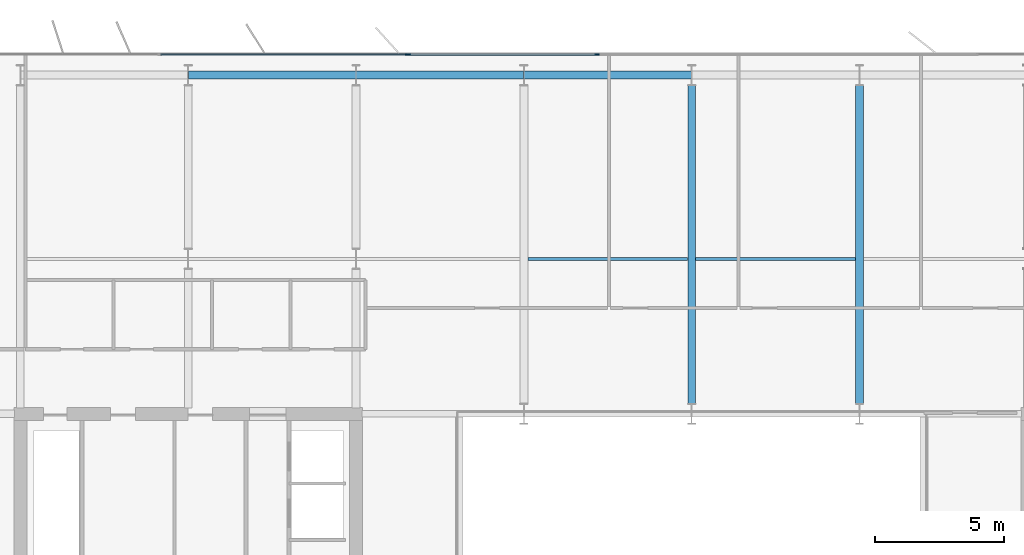
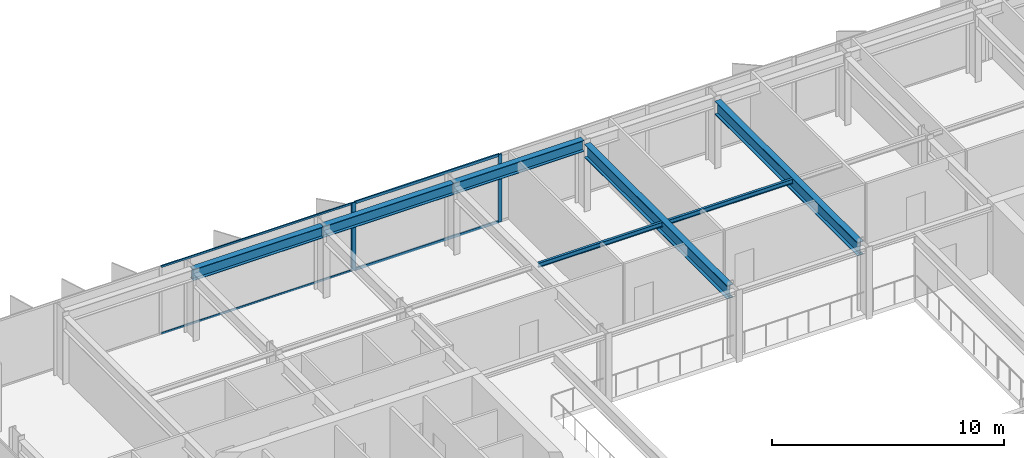
# One storey, part 11 of 23: 7 beams, 7 members, 2 elements without a shape of their own.
"""IFC4 building model written with IfcOpenShell, lengths in metres."""

from ifc_helpers import new_model, si_unit, direction, frame, origin, origin_2d, place, context, subcontext, project, spatial, rectangle, i_section, extrude, material, layer, layer_set, material_profile, profile_set, type_object, element, aggregate, save


model = new_model("IFC4")

# Units and contexts
model_context = context("Model", 3, precision=1e-05, world=origin(), true_north=direction((0.0, 1.0)))
body_context = subcontext(model_context, "Body", "Model", "MODEL_VIEW")
ifc_project = project(units=[si_unit("LENGTHUNIT", "METRE"), si_unit("AREAUNIT", "SQUARE_METRE"), si_unit("VOLUMEUNIT", "CUBIC_METRE"), si_unit("PLANEANGLEUNIT", "RADIAN"), si_unit("MASSUNIT", "GRAM", prefix="KILO")], contexts=[model_context])

# Site, building, storey
site_placement = place(None, origin())
site = spatial("IfcSite", under=ifc_project, at=site_placement, CompositionType="ELEMENT")
building_placement = place(site_placement, origin())
building = spatial("IfcBuilding", under=site, at=building_placement, Name="Putna Gate Headquarters", CompositionType="ELEMENT")
storey_placement = place(building_placement, frame((0.0, 0.0, 229.0)))
storey = spatial("IfcBuildingStorey", under=building, at=storey_placement, Name="L57", CompositionType="ELEMENT", Elevation=229.0)

# Beams
ifc_material_1 = material(Name="Steel S355J2", Category="steel")
ifc_material_profile_1 = material_profile(ifc_material_1, i_section(OverallWidth=0.300048828125, OverallDepth=0.699951171875, WebThickness=0.01708984375, FlangeThickness=0.031982421875, at=origin_2d()), Name="Steel S355J2")
ifc_profile_set_1 = profile_set([ifc_material_profile_1], Name="Steel S355J2")
beam_type_1 = type_object("IfcBeamType", Name="BM-GIRD-B-HEB700", PredefinedType="USERDEFINED", material=ifc_profile_set_1)
for number, where, z_axis, x_axis, name in (
    (1, (39.0, 33.39501953125, 3.22998046875), (0.0, 1.0, 0.0), (-1.0, 0.0, 0.0), "L57 North Primary Girder X39"),
    (2, (45.5, 33.39501953125, 3.22998046875), (0.0, 1.0, 0.0), (-1.0, 0.0, 0.0), "L57 North Primary Girder X45"),
):
    element("IfcBeam", number, at=place(storey_placement, frame(where, z_axis=z_axis, x_axis=x_axis)), inside=storey, type_object=beam_type_1, Name=name, ObjectType="GIRDER", PredefinedType="USERDEFINED", context=body_context, shape_type="SweptSolid", body=[
        extrude(i_section(OverallWidth=0.300048828125, OverallDepth=0.699951171875, WebThickness=0.01708984375, FlangeThickness=0.031982421875, at=origin_2d()), origin(), (0.0, 0.0, 1.0), 12.330078125),
    ])
ifc_material_profile_2 = material_profile(ifc_material_1, i_section(OverallWidth=0.1201171875, OverallDepth=0.239990234375, WebThickness=0.006103515625, FlangeThickness=0.009765625, at=origin_2d()), Name="Steel S355J2")
ifc_profile_set_2 = profile_set([ifc_material_profile_2], Name="Steel S355J2")
beam_type_2 = type_object("IfcBeamType", Name="BM-SEC-Z4-IPE240", PredefinedType="JOIST", material=ifc_profile_set_2)
for number, where, z_axis, x_axis, name in (
    (3, (32.654052734375, 39.0, 3.4599609375), (1.0, 0.0, 0.0), (0.0, 1.0, 0.0), "L57 North Secondary Beam 4"),
    (4, (39.154052734375, 39.0, 3.4599609375), (1.0, 0.0, 0.0), (0.0, 1.0, 0.0), "L57 North Secondary Beam 5"),
):
    element("IfcBeam", number, at=place(storey_placement, frame(where, z_axis=z_axis, x_axis=x_axis)), inside=storey, type_object=beam_type_2, Name=name, PredefinedType="JOIST", context=body_context, shape_type="SweptSolid", body=[
        extrude(i_section(OverallWidth=0.1201171875, OverallDepth=0.239990234375, WebThickness=0.006103515625, FlangeThickness=0.009765625, at=origin_2d()), origin(), (0.0, 0.0, 1.0), 6.19189453125),
    ])
ifc_material_profile_3 = material_profile(ifc_material_1, i_section(OverallWidth=0.300048828125, OverallDepth=0.590087890625, WebThickness=0.012939453125, FlangeThickness=0.02490234375, at=origin_2d()), Name="Steel S355J2")
ifc_profile_set_3 = profile_set([ifc_material_profile_3], Name="Steel S355J2")
beam_type_3 = type_object("IfcBeamType", Name="BM-SPAN-Z4-HEA600", PredefinedType="SPANDREL", material=ifc_profile_set_3)
for number, where, z_axis, x_axis, name in (
    (5, (19.506103515625, 46.1201171875, 3.284912109375), (1.0, 0.0, 0.0), (0.0, 1.0, 0.0), "L57 N Perimeter Spandrel 2"),
    (6, (26.006103515625, 46.1201171875, 3.284912109375), (1.0, 0.0, 0.0), (0.0, 1.0, 0.0), "L57 N Perimeter Spandrel 3"),
    (7, (32.506103515625, 46.1201171875, 3.284912109375), (1.0, 0.0, 0.0), (0.0, 1.0, 0.0), "L57 N Perimeter Spandrel 4"),
):
    element("IfcBeam", number, at=place(storey_placement, frame(where, z_axis=z_axis, x_axis=x_axis)), inside=storey, type_object=beam_type_3, Name=name, PredefinedType="SPANDREL", context=body_context, shape_type="SweptSolid", body=[
        extrude(i_section(OverallWidth=0.300048828125, OverallDepth=0.590087890625, WebThickness=0.012939453125, FlangeThickness=0.02490234375, at=origin_2d()), origin(), (0.0, 0.0, 1.0), 6.48779296875),
    ])

# Curtain wall, member
ifc_material_2 = material(Name="Anodised bronze aluminium curtain wall", Category="aluminium")
ifc_layer_1 = layer(ifc_material_2, 0.139892578125)
ifc_layer_set_1 = layer_set([ifc_layer_1], Name="Anodised bronze aluminium curtain wall")
curtain_wall_type_1 = type_object("IfcCurtainWallType", Name="CW-SYS-Z4", PredefinedType="USERDEFINED", material=ifc_layer_set_1)
curtain_wall_1_placement = place(storey_placement, origin())
curtain_wall_1 = element("IfcCurtainWall", 8, at=curtain_wall_1_placement, inside=storey, type_object=curtain_wall_type_1, Name="L57 North West Curtain Wall", ObjectType="STICK CURTAIN WALL", PredefinedType="USERDEFINED")
ifc_material_3 = material(Name="Anodised bronze aluminium EN AW-6060", Category="aluminium")
ifc_material_profile_4 = material_profile(ifc_material_3, rectangle(XDim=0.06005859375, YDim=0.139892578125, at=origin_2d()), Name="Anodised bronze aluminium EN AW-6060")
ifc_profile_set_4 = profile_set([ifc_material_profile_4], Name="Anodised bronze aluminium EN AW-6060")
member_type_1 = type_object("IfcMemberType", Name="MULL-CWM-4", PredefinedType="MULLION", material=ifc_profile_set_4)
member_1_placement = place(storey_placement, frame((27.969970703125, 46.919921875, 0.0), z_axis=(0.0, 0.0, 1.0), x_axis=(0.0, 1.0, 0.0)))
member_1 = element("IfcMember", 9, at=member_1_placement, type_object=member_type_1, Name="CWS-4 mullion 3", PredefinedType="MULLION", context=body_context, shape_type="SweptSolid", body=[
    extrude(rectangle(XDim=0.06005859375, YDim=0.139892578125, at=origin_2d()), origin(), (0.0, 0.0, 1.0), 3.580078125),
])

# Curtain wall, members
ifc_layer_2 = layer(ifc_material_2, 0.179931640625)
ifc_layer_set_2 = layer_set([ifc_layer_2], Name="Anodised bronze aluminium curtain wall")
curtain_wall_type_2 = type_object("IfcCurtainWallType", Name="CW-SYS-ATR", PredefinedType="USERDEFINED", material=ifc_layer_set_2)
curtain_wall_2_placement = place(storey_placement, origin())
curtain_wall_2 = element("IfcCurtainWall", 10, at=curtain_wall_2_placement, inside=storey, type_object=curtain_wall_type_2, Name="L57 North Atrium Clear Glazing", ObjectType="ATRIUM GLAZING", PredefinedType="USERDEFINED")
ifc_material_profile_5 = material_profile(ifc_material_3, rectangle(XDim=0.070068359375, YDim=0.179931640625, at=origin_2d()), Name="Anodised bronze aluminium EN AW-6060")
ifc_profile_set_5 = profile_set([ifc_material_profile_5], Name="Anodised bronze aluminium EN AW-6060")
member_type_2 = type_object("IfcMemberType", Name="MULL-CWM-AT", PredefinedType="MULLION", material=ifc_profile_set_5)
member_2_placement = place(storey_placement, frame((28.034912109375, 46.919921875, 0.0), z_axis=(0.0, 0.0, 1.0), x_axis=(0.0, 1.0, 0.0)))
member_2 = element("IfcMember", 11, at=member_2_placement, type_object=member_type_2, Name="CWS-AT mullion 1", PredefinedType="MULLION", context=body_context, shape_type="SweptSolid", body=[
    extrude(rectangle(XDim=0.070068359375, YDim=0.179931640625, at=origin_2d()), origin(), (0.0, 0.0, 1.0), 3.580078125),
])
member_3_placement = place(storey_placement, frame((35.333251953125, 46.919921875, 0.0), z_axis=(0.0, 0.0, 1.0), x_axis=(0.0, 1.0, 0.0)))
member_3 = element("IfcMember", 12, at=member_3_placement, type_object=member_type_2, Name="CWS-AT mullion 2", PredefinedType="MULLION", context=body_context, shape_type="SweptSolid", body=[
    extrude(rectangle(XDim=0.070068359375, YDim=0.179931640625, at=origin_2d()), origin(), (0.0, 0.0, 1.0), 3.580078125),
])

# Member
ifc_material_profile_6 = material_profile(ifc_material_3, rectangle(XDim=0.06005859375, YDim=0.10009765625, at=origin_2d()), Name="Anodised bronze aluminium EN AW-6060")
ifc_profile_set_6 = profile_set([ifc_material_profile_6], Name="Anodised bronze aluminium EN AW-6060")
member_type_3 = type_object("IfcMemberType", Name="TRAN-CWT-4", PredefinedType="USERDEFINED", material=ifc_profile_set_6)
member_4_placement = place(storey_placement, frame((18.429931640625, 46.919921875, 0.030029296875), z_axis=(1.0, 0.0, 0.0), x_axis=(0.0, 1.0, 0.0)))
member_4 = element("IfcMember", 13, at=member_4_placement, type_object=member_type_3, Name="CWS-4 transom 2.1", ObjectType="TRANSOM", PredefinedType="USERDEFINED", context=body_context, shape_type="SweptSolid", body=[
    extrude(rectangle(XDim=0.06005859375, YDim=0.10009765625, at=origin_2d()), origin(), (0.0, 0.0, 1.0), 9.510009765625),
])

member_5_placement = place(storey_placement, frame((18.429931640625, 46.919921875, 3.550048828125), z_axis=(1.0, 0.0, 0.0), x_axis=(0.0, 1.0, 0.0)))
member_5 = element("IfcMember", 14, at=member_5_placement, type_object=member_type_3, Name="CWS-4 transom 2.2", ObjectType="TRANSOM", PredefinedType="USERDEFINED", context=body_context, shape_type="SweptSolid", body=[
    extrude(rectangle(XDim=0.06005859375, YDim=0.10009765625, at=origin_2d()), origin(), (0.0, 0.0, 1.0), 9.510009765625),
])

aggregate(curtain_wall_1, [member_1, member_4, member_5])

ifc_material_profile_7 = material_profile(ifc_material_3, rectangle(XDim=0.070068359375, YDim=0.139892578125, at=origin_2d()), Name="Anodised bronze aluminium EN AW-6060")
ifc_profile_set_7 = profile_set([ifc_material_profile_7], Name="Anodised bronze aluminium EN AW-6060")
member_type_4 = type_object("IfcMemberType", Name="TRAN-CWT-AT", PredefinedType="USERDEFINED", material=ifc_profile_set_7)
member_6_placement = place(storey_placement, frame((28.070068359375, 46.919921875, 0.034912109375), z_axis=(1.0, 0.0, 0.0), x_axis=(0.0, 1.0, 0.0)))
member_6 = element("IfcMember", 15, at=member_6_placement, type_object=member_type_4, Name="CWS-AT transom 1.1", ObjectType="TRANSOM", PredefinedType="USERDEFINED", context=body_context, shape_type="SweptSolid", body=[
    extrude(rectangle(XDim=0.070068359375, YDim=0.139892578125, at=origin_2d()), origin(), (0.0, 0.0, 1.0), 7.228271484375),
])

member_7_placement = place(storey_placement, frame((28.070068359375, 46.919921875, 3.544921875), z_axis=(1.0, 0.0, 0.0), x_axis=(0.0, 1.0, 0.0)))
member_7 = element("IfcMember", 16, at=member_7_placement, type_object=member_type_4, Name="CWS-AT transom 1.2", ObjectType="TRANSOM", PredefinedType="USERDEFINED", context=body_context, shape_type="SweptSolid", body=[
    extrude(rectangle(XDim=0.070068359375, YDim=0.139892578125, at=origin_2d()), origin(), (0.0, 0.0, 1.0), 7.228271484375),
])

aggregate(curtain_wall_2, [member_2, member_3, member_6, member_7])

save(model, "model.ifc")
